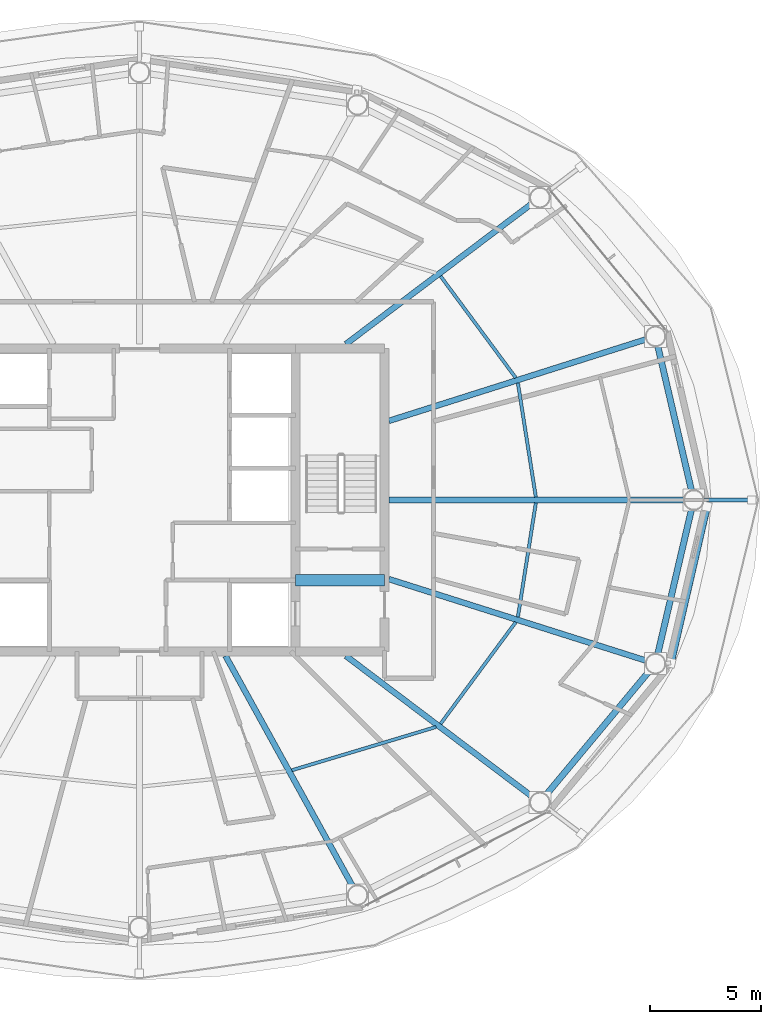
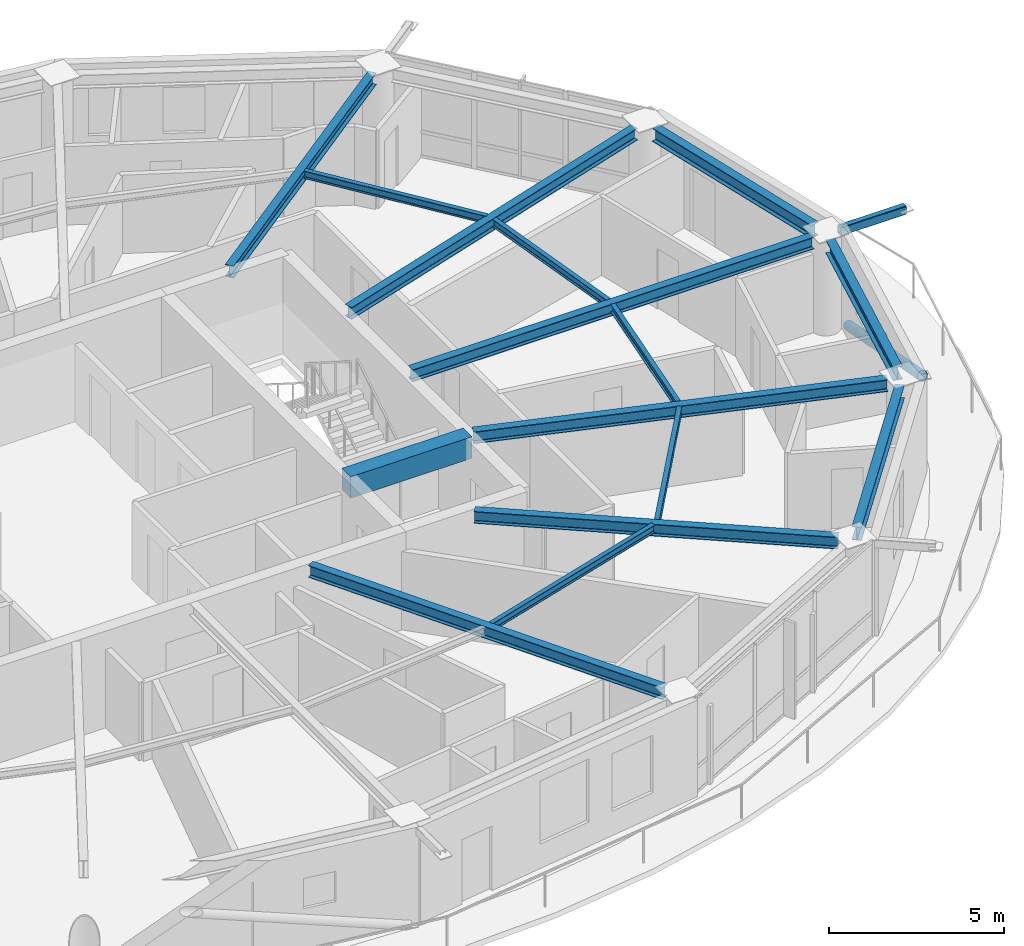
# One storey, part 6 of 23: 15 beams, 2 members.
"""IFC4 building model written with IfcOpenShell, lengths in metres."""

from ifc_helpers import new_model, si_unit, direction, frame, origin, origin_2d, place, context, subcontext, project, spatial, rectangle, hollow_rectangle, hollow_circle, i_section, extrude, material, material_profile, profile_set, type_object, element, save


model = new_model("IFC4")

# Units and contexts
model_context = context("Model", 3, precision=1e-05, world=origin(), true_north=direction((0.0, 1.0)))
body_context = subcontext(model_context, "Body", "Model", "MODEL_VIEW")
ifc_project = project(units=[si_unit("LENGTHUNIT", "METRE"), si_unit("AREAUNIT", "SQUARE_METRE"), si_unit("VOLUMEUNIT", "CUBIC_METRE"), si_unit("PLANEANGLEUNIT", "RADIAN"), si_unit("MASSUNIT", "GRAM", prefix="KILO")], contexts=[model_context])

# Site, building, storey
site_placement = place(None, origin())
site = spatial("IfcSite", under=ifc_project, at=site_placement, CompositionType="ELEMENT")
building_placement = place(site_placement, origin())
building = spatial("IfcBuilding", under=site, at=building_placement, Name="Sarneth Arch Tower", CompositionType="ELEMENT")
storey_placement = place(building_placement, frame((0.0, 0.0, 262.199951171875)))
storey = spatial("IfcBuildingStorey", under=building, at=storey_placement, Name="L67", CompositionType="ELEMENT", Elevation=262.199951171875)

# Beams
ifc_material_1 = material(Name="Steel S355", Category="steel")
ifc_material_profile_1 = material_profile(ifc_material_1, i_section(OverallWidth=0.14794921875, OverallDepth=0.26611328125, WebThickness=0.007568359375, FlangeThickness=0.012939453125, FilletRadius=0.012939453125, at=origin_2d()), Name="W250x44.8")
ifc_profile_set_1 = profile_set([ifc_material_profile_1], Name="Steel S355")
beam_type_1 = type_object("IfcBeamType", Name="BM-JOIST-250", PredefinedType="JOIST", material=ifc_profile_set_1)
beam_1_placement = place(storey_placement, frame((65.79638671875, 42.12841796875, 3.237060546875), z_axis=(-0.155394638761, 0.987852471903, 0.0), x_axis=(-0.987852471903, -0.155394638761, 0.0)))
element("IfcBeam", 1, at=beam_1_placement, inside=storey, type_object=beam_type_1, Name="L67 Secondary floor joist 01", PredefinedType="JOIST", context=body_context, shape_type="SweptSolid", body=[
    extrude(i_section(OverallWidth=0.14794921875, OverallDepth=0.26611328125, WebThickness=0.007568359375, FlangeThickness=0.012939453125, FilletRadius=0.012939453125, at=origin_2d()), origin(), (0.0, 0.0, 1.0), 5.187744140625),
])
beam_2_placement = place(storey_placement, frame((64.892578125, 47.486083984375, 3.237060546875), z_axis=(-0.59454712612, 0.804060765628, 0.0), x_axis=(-0.804060765628, -0.59454712612, 0.0)))
element("IfcBeam", 2, at=beam_2_placement, inside=storey, type_object=beam_type_1, Name="L67 Secondary floor joist 02", PredefinedType="JOIST", context=body_context, shape_type="SweptSolid", body=[
    extrude(i_section(OverallWidth=0.14794921875, OverallDepth=0.26611328125, WebThickness=0.007568359375, FlangeThickness=0.012939453125, FilletRadius=0.012939453125, at=origin_2d()), origin(), (0.0, 0.0, 1.0), 5.673828125),
])
beam_3_placement = place(storey_placement, frame((54.843017578125, 29.865234375, 3.237060546875), z_axis=(0.957726833296, 0.287679183787, 0.0), x_axis=(-0.287679183787, 0.957726833296, 0.0)))
element("IfcBeam", 3, at=beam_3_placement, inside=storey, type_object=beam_type_1, Name="L67 Secondary floor joist 14", PredefinedType="JOIST", context=body_context, shape_type="SweptSolid", body=[
    extrude(i_section(OverallWidth=0.14794921875, OverallDepth=0.26611328125, WebThickness=0.007568359375, FlangeThickness=0.012939453125, FilletRadius=0.012939453125, at=origin_2d()), origin(), (0.0, 0.0, 1.0), 6.760498046875),
])
beam_4_placement = place(storey_placement, frame((61.519287109375, 31.951904296875, 3.237060546875), z_axis=(0.59454712612, 0.804060765628, 0.0), x_axis=(-0.804060765628, 0.59454712612, 0.0)))
element("IfcBeam", 4, at=beam_4_placement, inside=storey, type_object=beam_type_1, Name="L67 Secondary floor joist 15", PredefinedType="JOIST", context=body_context, shape_type="SweptSolid", body=[
    extrude(i_section(OverallWidth=0.14794921875, OverallDepth=0.26611328125, WebThickness=0.007568359375, FlangeThickness=0.012939453125, FilletRadius=0.012939453125, at=origin_2d()), origin(), (0.0, 0.0, 1.0), 5.673828125),
])
beam_5_placement = place(storey_placement, frame((64.990234375, 36.746826171875, 3.237060546875), z_axis=(0.155394638761, 0.987852471903, 0.0), x_axis=(-0.987852471903, 0.155394638761, 0.0)))
element("IfcBeam", 5, at=beam_5_placement, inside=storey, type_object=beam_type_1, Name="L67 Secondary floor joist 16", PredefinedType="JOIST", context=body_context, shape_type="SweptSolid", body=[
    extrude(i_section(OverallWidth=0.14794921875, OverallDepth=0.26611328125, WebThickness=0.007568359375, FlangeThickness=0.012939453125, FilletRadius=0.012939453125, at=origin_2d()), origin(), (0.0, 0.0, 1.0), 5.187744140625),
])
ifc_material_2 = material(Name="Concrete C50/60", Category="concrete")
ifc_material_profile_2 = material_profile(ifc_material_2, rectangle(XDim=0.5, YDim=0.75, at=origin_2d()), Name="RC-500x750")
ifc_profile_set_2 = profile_set([ifc_material_profile_2], Name="Concrete C50/60")
beam_type_2 = type_object("IfcBeamType", Name="BM-LINTEL-RC", PredefinedType="LINTEL", material=ifc_profile_set_2)
beam_6_placement = place(storey_placement, frame((55.0, 38.39990234375, 2.9951171875), z_axis=(1.0, 0.0, 0.0), x_axis=(0.0, 1.0, 0.0)))
element("IfcBeam", 6, at=beam_6_placement, inside=storey, type_object=beam_type_2, Name="L67 Core coupling lintel E", PredefinedType="LINTEL", context=body_context, shape_type="SweptSolid", body=[
    extrude(rectangle(XDim=0.5, YDim=0.75, at=origin_2d()), origin(), (0.0, 0.0, 1.0), 4.0),
])
ifc_material_3 = material(Name="Steel S355", Category="steel")
ifc_material_profile_3 = material_profile(ifc_material_3, i_section(OverallWidth=0.260009765625, OverallDepth=0.4150390625, WebThickness=0.010009765625, FlangeThickness=0.016845703125, FilletRadius=0.01611328125, at=origin_2d()), Name="W410x100")
ifc_profile_set_3 = profile_set([ifc_material_profile_3], Name="Steel S355")
beam_type_3 = type_object("IfcBeamType", Name="BM-RAD-410A", PredefinedType="BEAM", material=ifc_profile_set_3)
beam_7_placement = place(storey_placement, frame((59.199951171875, 42.0, 3.16259765625), z_axis=(1.0, 0.0, 0.0), x_axis=(0.0, 1.0, 0.0)))
element("IfcBeam", 7, at=beam_7_placement, inside=storey, type_object=beam_type_3, Name="L67 Radial floor girder 01", PredefinedType="BEAM", context=body_context, shape_type="SweptSolid", body=[
    extrude(i_section(OverallWidth=0.260009765625, OverallDepth=0.4150390625, WebThickness=0.010009765625, FlangeThickness=0.016845703125, FilletRadius=0.01611328125, at=origin_2d()), origin(), (0.0, 0.0, 1.0), 13.233154296875),
])
beam_8_placement = place(storey_placement, frame((59.199951171875, 45.5517578125, 3.16259765625), z_axis=(0.953215615433, 0.302291234563, 0.0), x_axis=(-0.302291234563, 0.953215615433, 0.0)))
element("IfcBeam", 8, at=beam_8_placement, inside=storey, type_object=beam_type_3, Name="L67 Radial floor girder 02", PredefinedType="BEAM", context=body_context, shape_type="SweptSolid", body=[
    extrude(i_section(OverallWidth=0.260009765625, OverallDepth=0.4150390625, WebThickness=0.010009765625, FlangeThickness=0.016845703125, FilletRadius=0.01611328125, at=origin_2d()), origin(), (0.0, 0.0, 1.0), 12.1064453125),
])
beam_9_placement = place(storey_placement, frame((57.26806640625, 49.0, 3.16259765625), z_axis=(0.79797356997, 0.602692443647, 0.0), x_axis=(-0.602692443647, 0.79797356997, 0.0)))
element("IfcBeam", 9, at=beam_9_placement, inside=storey, type_object=beam_type_3, Name="L67 Radial floor girder 03", PredefinedType="BEAM", context=body_context, shape_type="SweptSolid", body=[
    extrude(i_section(OverallWidth=0.260009765625, OverallDepth=0.4150390625, WebThickness=0.010009765625, FlangeThickness=0.016845703125, FilletRadius=0.01611328125, at=origin_2d()), origin(), (0.0, 0.0, 1.0), 10.461669921875),
])
beam_10_placement = place(storey_placement, frame((51.86376953125, 35.0, 3.16259765625), z_axis=(0.483218265038, -0.875499919094, 0.0), x_axis=(0.875499919094, 0.483218265038, 0.0)))
element("IfcBeam", 10, at=beam_10_placement, inside=storey, type_object=beam_type_3, Name="L67 Radial floor girder 14", PredefinedType="BEAM", context=body_context, shape_type="SweptSolid", body=[
    extrude(i_section(OverallWidth=0.260009765625, OverallDepth=0.4150390625, WebThickness=0.010009765625, FlangeThickness=0.016845703125, FilletRadius=0.01611328125, at=origin_2d()), origin(), (0.0, 0.0, 1.0), 11.8154296875),
])
beam_11_placement = place(storey_placement, frame((57.26806640625, 35.0, 3.16259765625), z_axis=(0.79797356997, -0.602692443647, 0.0), x_axis=(0.602692443647, 0.79797356997, 0.0)))
element("IfcBeam", 11, at=beam_11_placement, inside=storey, type_object=beam_type_3, Name="L67 Radial floor girder 15", PredefinedType="BEAM", context=body_context, shape_type="SweptSolid", body=[
    extrude(i_section(OverallWidth=0.260009765625, OverallDepth=0.4150390625, WebThickness=0.010009765625, FlangeThickness=0.016845703125, FilletRadius=0.01611328125, at=origin_2d()), origin(), (0.0, 0.0, 1.0), 10.461669921875),
])
beam_12_placement = place(storey_placement, frame((59.199951171875, 38.4482421875, 3.16259765625), z_axis=(0.953215615433, -0.302291234563, 0.0), x_axis=(0.302291234563, 0.953215615433, 0.0)))
element("IfcBeam", 12, at=beam_12_placement, inside=storey, type_object=beam_type_3, Name="L67 Radial floor girder 16", PredefinedType="BEAM", context=body_context, shape_type="SweptSolid", body=[
    extrude(i_section(OverallWidth=0.260009765625, OverallDepth=0.4150390625, WebThickness=0.010009765625, FlangeThickness=0.016845703125, FilletRadius=0.01611328125, at=origin_2d()), origin(), (0.0, 0.0, 1.0), 12.1064453125),
])
ifc_material_4 = material(Name="Steel S355", Category="steel")
ifc_material_profile_4 = material_profile(ifc_material_4, i_section(OverallWidth=0.280029296875, OverallDepth=0.462890625, WebThickness=0.0107421875, FlangeThickness=0.017333984375, FilletRadius=0.01806640625, at=origin_2d()), Name="W460x113")
ifc_profile_set_4 = profile_set([ifc_material_profile_4], Name="Steel S355")
beam_type_4 = type_object("IfcBeamType", Name="BM-RAD-460A", PredefinedType="BEAM", material=ifc_profile_set_4)
beam_13_placement = place(storey_placement, frame((72.781005859375, 42.438232421875, 3.138427734375), z_axis=(-0.227247037844, 0.973837144389, 0.0), x_axis=(-0.973837144389, -0.227247037844, 0.0)))
element("IfcBeam", 13, at=beam_13_placement, inside=storey, type_object=beam_type_4, Name="L67 Perimeter spandrel beam 01", PredefinedType="BEAM", context=body_context, shape_type="SweptSolid", body=[
    extrude(i_section(OverallWidth=0.280029296875, OverallDepth=0.462890625, WebThickness=0.0107421875, FlangeThickness=0.017333984375, FilletRadius=0.01806640625, at=origin_2d()), origin(), (0.0, 0.0, 1.0), 6.644775390625),
])
beam_14_placement = place(storey_placement, frame((66.263427734375, 28.769287109375, 3.138427734375), z_axis=(0.640390876881, 0.768049168222, 0.0), x_axis=(-0.768049168222, 0.640390876881, 0.0)))
element("IfcBeam", 14, at=beam_14_placement, inside=storey, type_object=beam_type_4, Name="L67 Perimeter spandrel beam 15", PredefinedType="BEAM", context=body_context, shape_type="SweptSolid", body=[
    extrude(i_section(OverallWidth=0.280029296875, OverallDepth=0.462890625, WebThickness=0.0107421875, FlangeThickness=0.017333984375, FilletRadius=0.01806640625, at=origin_2d()), origin(), (0.0, 0.0, 1.0), 7.2099609375),
])
beam_15_placement = place(storey_placement, frame((71.27099609375, 35.0908203125, 3.138427734375), z_axis=(0.227247037844, 0.973837144389, 0.0), x_axis=(-0.973837144389, 0.227247037844, 0.0)))
element("IfcBeam", 15, at=beam_15_placement, inside=storey, type_object=beam_type_4, Name="L67 Perimeter spandrel beam 16", PredefinedType="BEAM", context=body_context, shape_type="SweptSolid", body=[
    extrude(i_section(OverallWidth=0.280029296875, OverallDepth=0.462890625, WebThickness=0.0107421875, FlangeThickness=0.017333984375, FilletRadius=0.01806640625, at=origin_2d()), origin(), (0.0, 0.0, 1.0), 6.644775390625),
])

# Members
ifc_material_5 = material(Name="Steel S355", Category="steel")
ifc_material_profile_5 = material_profile(ifc_material_5, hollow_rectangle(XDim=0.199951171875, YDim=0.300048828125, WallThickness=0.012451171875, InnerFilletRadius=0.018798828125, OuterFilletRadius=0.03125, at=origin_2d()), Name="RHS300x200x12.5")
ifc_profile_set_5 = profile_set([ifc_material_profile_5], Name="Steel S355")
member_type_1 = type_object("IfcMemberType", Name="MEM-CANT-STRUT", PredefinedType="STRUT", material=ifc_profile_set_5)
member_1_placement = place(storey_placement, frame((73.333251953125, 42.0, 3.2099609375), z_axis=(1.0, 0.0, 0.0), x_axis=(0.0, 1.0, 0.0)))
element("IfcMember", 16, at=member_1_placement, inside=storey, type_object=member_type_1, Name="L67 Balcony cantilever bracket 01", PredefinedType="STRUT", context=body_context, shape_type="SweptSolid", body=[
    extrude(hollow_rectangle(XDim=0.199951171875, YDim=0.300048828125, WallThickness=0.012451171875, InnerFilletRadius=0.018798828125, OuterFilletRadius=0.03125, at=origin_2d()), origin(), (0.0, 0.0, 1.0), 2.1484375),
])
ifc_material_6 = material(Name="Steel S355", Category="steel")
ifc_material_profile_6 = material_profile(ifc_material_6, hollow_circle(Radius=0.162109375, WallThickness=0.012451171875, at=origin_2d()), Name="CHS324x12.5")
ifc_profile_set_6 = profile_set([ifc_material_profile_6], Name="Steel S355")
member_type_2 = type_object("IfcMemberType", Name="MEM-DIAG-BR3", PredefinedType="BRACE", material=ifc_profile_set_6)
member_2_placement = place(storey_placement, frame((73.4765625, 41.707763671875, 0.02001953125), z_axis=(-0.207343373373, -0.896265487877, 0.392067469651), x_axis=(0.974268900284, -0.225388797281, 0.0)))
element("IfcMember", 17, at=member_2_placement, inside=storey, type_object=member_type_2, Name="L67 Perimeter frame diagonal 16", PredefinedType="BRACE", context=body_context, shape_type="SweptSolid", body=[
    extrude(hollow_circle(Radius=0.162109375, WallThickness=0.012451171875, at=origin_2d()), origin(), (0.0, 0.0, 1.0), 7.836181640625),
])

save(model, "model.ifc")
